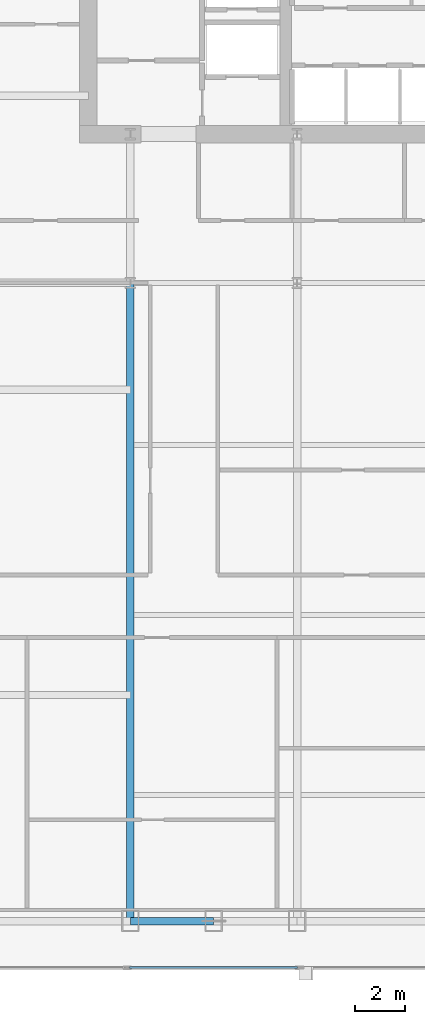
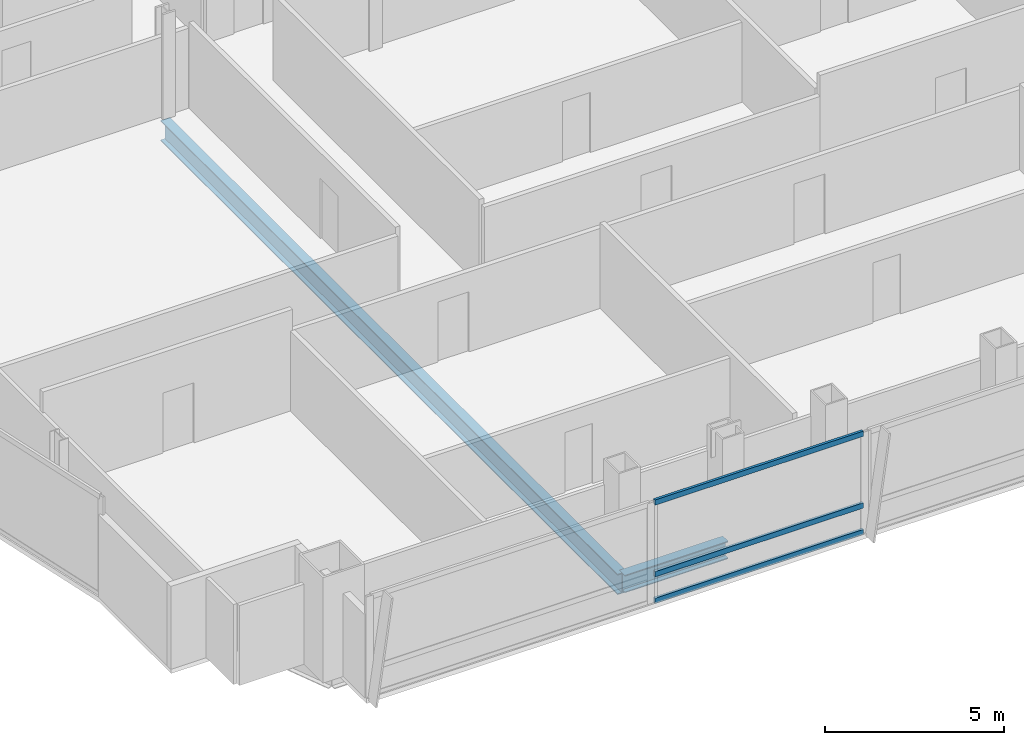
# One storey, part 7 of 29: 3 members, 2 beams, 1 element without a shape of its own.
"""IFC4 building model written with IfcOpenShell, lengths in metres."""

from ifc_helpers import new_model, si_unit, direction, frame, origin, origin_2d, place, context, subcontext, project, spatial, hollow_rectangle, i_section, extrude, material, material_profile, profile_set, type_object, element, aggregate, save


model = new_model("IFC4")

# Units and contexts
model_context = context("Model", 3, precision=1e-05, world=origin(), true_north=direction((0.0, 1.0)))
body_context = subcontext(model_context, "Body", "Model", "MODEL_VIEW")
ifc_project = project(units=[si_unit("LENGTHUNIT", "METRE"), si_unit("AREAUNIT", "SQUARE_METRE"), si_unit("VOLUMEUNIT", "CUBIC_METRE"), si_unit("PLANEANGLEUNIT", "RADIAN"), si_unit("MASSUNIT", "GRAM", prefix="KILO")], contexts=[model_context])

# Site, building, storey
site_placement = place(None, origin())
site = spatial("IfcSite", under=ifc_project, at=site_placement, CompositionType="ELEMENT")
building_placement = place(site_placement, origin())
building = spatial("IfcBuilding", under=site, at=building_placement, Name="Khoronbel Lancet Exchange", CompositionType="ELEMENT")
storey_placement = place(building_placement, frame((0.0, 0.0, 165.0)))
storey = spatial("IfcBuildingStorey", under=building, at=storey_placement, Name="L41", CompositionType="ELEMENT", Elevation=165.0)

# Beams
ifc_material_1 = material(Name="Steel S355", Category="steel")
ifc_material_profile_1 = material_profile(ifc_material_1, i_section(OverallWidth=0.300048828125, OverallDepth=0.699951171875, WebThickness=0.01708984375, FlangeThickness=0.031982421875, at=origin_2d()), Name="HEB 700")
ifc_profile_set_1 = profile_set([ifc_material_profile_1], Name="Steel S355")
beam_type_1 = type_object("IfcBeamType", Name="BM-BG3", PredefinedType="BEAM", material=ifc_profile_set_1)
beam_1_placement = place(storey_placement, frame((18.22509765625, 10.14990234375, -0.510009765625), z_axis=(0.0, 1.0, 0.0), x_axis=(-1.0, 0.0, 0.0)))
element("IfcBeam", 1, at=beam_1_placement, inside=storey, type_object=beam_type_1, Name="Level L41 south primary girder GS1", PredefinedType="BEAM", context=body_context, shape_type="SweptSolid", body=[
    extrude(i_section(OverallWidth=0.300048828125, OverallDepth=0.699951171875, WebThickness=0.01708984375, FlangeThickness=0.031982421875, at=origin_2d()), origin(), (0.0, 0.0, 1.0), 25.550048828125),
])
ifc_material_profile_2 = material_profile(ifc_material_1, i_section(OverallWidth=0.300048828125, OverallDepth=0.60009765625, WebThickness=0.015380859375, FlangeThickness=0.030029296875, at=origin_2d()), Name="HEB 600")
ifc_profile_set_2 = profile_set([ifc_material_profile_2], Name="Steel S355")
beam_type_2 = type_object("IfcBeamType", Name="BM-BSP2", PredefinedType="SPANDREL", material=ifc_profile_set_2)
beam_2_placement = place(storey_placement, frame((18.22509765625, 10.14990234375, -0.4599609375), z_axis=(1.0, 0.0, 0.0), x_axis=(0.0, 1.0, 0.0)))
element("IfcBeam", 2, at=beam_2_placement, inside=storey, type_object=beam_type_2, Name="Level L41 perimeter spandrel beam SP02", PredefinedType="SPANDREL", context=body_context, shape_type="SweptSolid", body=[
    extrude(i_section(OverallWidth=0.300048828125, OverallDepth=0.60009765625, WebThickness=0.015380859375, FlangeThickness=0.030029296875, at=origin_2d()), origin(), (0.0, 0.0, 1.0), 3.33740234375),
])

# Curtain wall, members
ifc_material_2 = material(Name="Low-E Solar Control Insulating Glass", Category="glass")
curtain_wall_type = type_object("IfcCurtainWallType", Name="CW-3", PredefinedType="NOTDEFINED", material=ifc_material_2)
curtain_wall_placement = place(storey_placement, origin())
curtain_wall = element("IfcCurtainWall", 3, at=curtain_wall_placement, inside=storey, type_object=curtain_wall_type, Name="Unitised curtain wall CW-L41-SWB", PredefinedType="NOTDEFINED")
ifc_material_3 = material(Name="Bronze-Anodised Aluminium 6063-T6", Category="aluminium")
ifc_material_profile_3 = material_profile(ifc_material_3, hollow_rectangle(XDim=0.0849609375, YDim=0.179931640625, WallThickness=0.0048828125, at=origin_2d()), Name="ALU TRANSOM 85x180")
ifc_profile_set_3 = profile_set([ifc_material_profile_3], Name="Bronze-Anodised Aluminium 6063-T6")
member_type = type_object("IfcMemberType", Name="MEM-CWT1", PredefinedType="USERDEFINED", material=ifc_profile_set_3)
member_1_placement = place(storey_placement, frame((18.18505859375, 8.2900390625, 0.04248046875), z_axis=(1.0, 0.0, 0.0), x_axis=(0.0, 1.0, 0.0)))
member_1 = element("IfcMember", 4, at=member_1_placement, type_object=member_type, Name="CW3 transom 1.1", ObjectType="TRANSOM", PredefinedType="USERDEFINED", context=body_context, shape_type="SweptSolid", body=[
    extrude(hollow_rectangle(XDim=0.0849609375, YDim=0.179931640625, WallThickness=0.0048828125, at=origin_2d()), origin(), (0.0, 0.0, 1.0), 6.72998046875),
])
member_2_placement = place(storey_placement, frame((18.18505859375, 8.2900390625, 0.949951171875), z_axis=(1.0, 0.0, 0.0), x_axis=(0.0, 1.0, 0.0)))
member_2 = element("IfcMember", 5, at=member_2_placement, type_object=member_type, Name="CW3 transom 1.2", ObjectType="TRANSOM", PredefinedType="USERDEFINED", context=body_context, shape_type="SweptSolid", body=[
    extrude(hollow_rectangle(XDim=0.0849609375, YDim=0.179931640625, WallThickness=0.0048828125, at=origin_2d()), origin(), (0.0, 0.0, 1.0), 6.72998046875),
])
member_3_placement = place(storey_placement, frame((18.18505859375, 8.2900390625, 3.3974609375), z_axis=(1.0, 0.0, 0.0), x_axis=(0.0, 1.0, 0.0)))
member_3 = element("IfcMember", 6, at=member_3_placement, type_object=member_type, Name="CW3 transom 1.3", ObjectType="TRANSOM", PredefinedType="USERDEFINED", context=body_context, shape_type="SweptSolid", body=[
    extrude(hollow_rectangle(XDim=0.0849609375, YDim=0.179931640625, WallThickness=0.0048828125, at=origin_2d()), origin(), (0.0, 0.0, 1.0), 6.72998046875),
])
aggregate(curtain_wall, [member_1, member_2, member_3])

save(model, "model.ifc")
